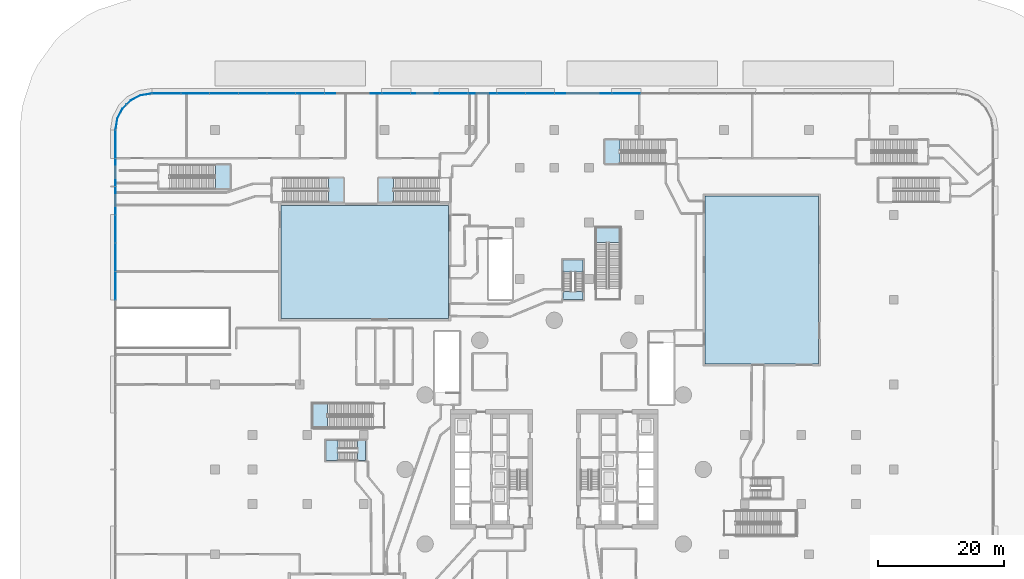
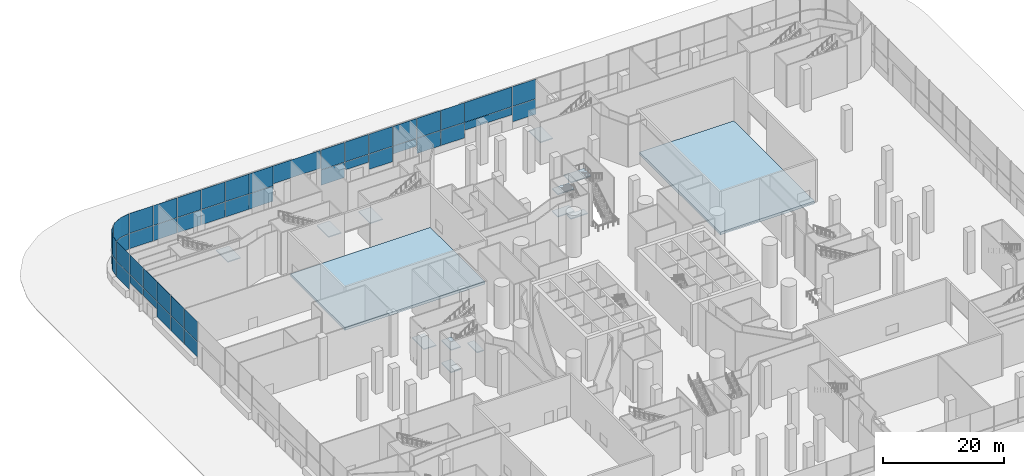
# One storey, part 18 of 54: 45 plates, 14 slabs, 11 elements without a shape of their own.
"""IFC4 building model written with IfcOpenShell, lengths in metres."""

from ifc_helpers import new_model, si_unit, direction, frame, origin, place, context, subcontext, project, spatial, polyline, outline, extrude, material, layer, layer_set, type_object, element, aggregate, save


model = new_model("IFC4")

# Units and contexts
model_context = context("Model", 3, precision=1e-05, world=origin(), true_north=direction((0.0, 1.0)))
body_context = subcontext(model_context, "Body", "Model", "MODEL_VIEW")
ifc_project = project(units=[si_unit("LENGTHUNIT", "METRE"), si_unit("AREAUNIT", "SQUARE_METRE"), si_unit("VOLUMEUNIT", "CUBIC_METRE"), si_unit("PLANEANGLEUNIT", "RADIAN"), si_unit("MASSUNIT", "GRAM", prefix="KILO")], contexts=[model_context])

# Site, building, storey
site_placement = place(None, origin())
site = spatial("IfcSite", under=ifc_project, at=site_placement, CompositionType="ELEMENT")
building_placement = place(site_placement, origin())
building = spatial("IfcBuilding", under=site, at=building_placement, Name="Tamarind Cross Interchange Tower", CompositionType="ELEMENT")
storey_placement = place(building_placement, origin())
storey = spatial("IfcBuildingStorey", under=building, at=storey_placement, Name="L00", CompositionType="ELEMENT", Elevation=0.0)

# Slabs
ifc_material_1 = material(Name="Concrete C40", Category="concrete")
ifc_layer_1 = layer(ifc_material_1, 0.550048828125)
ifc_layer_set_1 = layer_set([ifc_layer_1], Name="Concrete C40")
slab_type_1 = type_object("IfcSlabType", Name="Post-tensioned flat slab 550 Concrete C40", PredefinedType="FLOOR", material=ifc_layer_set_1)
slab_1_placement = place(storey_placement, frame((0.0, 0.0, -0.550048828125)))
element("IfcSlab", 1, at=slab_1_placement, inside=storey, type_object=slab_type_1, Name="Fire court NE floor slab", PredefinedType="FLOOR", context=body_context, shape_type="SweptSolid", body=[
    extrude(outline(polyline([(24.0, 16.800048828125), (42.0, 16.800048828125), (42.0, 43.5), (24.0, 43.5), (24.0, 16.800048828125)])), origin(), (0.0, 0.0, 1.0), 0.550048828125),
])
slab_2_placement = place(storey_placement, frame((0.0, 0.0, -0.550048828125)))
element("IfcSlab", 2, at=slab_2_placement, inside=storey, type_object=slab_type_1, Name="Fire court NW floor slab", PredefinedType="FLOOR", context=body_context, shape_type="SweptSolid", body=[
    extrude(outline(polyline([(-43.5, 24.0), (-16.800048828125, 24.0), (-16.800048828125, 42.0), (-43.5, 42.0), (-43.5, 24.0)])), origin(), (0.0, 0.0, 1.0), 0.550048828125),
])

# Stair, slab
ifc_material_2 = material(Name="Public stair")
stair_type_1 = type_object("IfcStairType", Name="Public stair", PredefinedType="HALF_TURN_STAIR", material=ifc_material_2)
stair_1_placement = place(storey_placement, origin())
stair_1 = element("IfcStair", 3, at=stair_1_placement, inside=storey, type_object=stair_type_1, Name="L00 public stair PS-W", PredefinedType="HALF_TURN_STAIR")
ifc_layer_2 = layer(ifc_material_1, 0.199951171875)
ifc_layer_set_2 = layer_set([ifc_layer_2], Name="Concrete C40")
slab_type_2 = type_object("IfcSlabType", Name="Public stair landing", PredefinedType="LANDING", material=ifc_layer_set_2)
slab_3_placement = place(storey_placement, frame((0.0, 0.0, 4.300048828125)))
slab_3 = element("IfcSlab", 4, at=slab_3_placement, type_object=slab_type_2, Name="PS-W landing 1", PredefinedType="LANDING", context=body_context, shape_type="SweptSolid", body=[
    extrude(outline(polyline([(-36.080078125, 10.5), (-38.5, 10.5), (-38.5, 6.60009765625), (-36.080078125, 6.60009765625), (-36.080078125, 10.5)])), origin(), (0.0, 0.0, 1.0), 0.199951171875),
])
aggregate(stair_1, [slab_3])

stair_2_placement = place(storey_placement, origin())
stair_2 = element("IfcStair", 5, at=stair_2_placement, inside=storey, type_object=stair_type_1, Name="L00 public stair PS-N", PredefinedType="HALF_TURN_STAIR")
slab_4_placement = place(storey_placement, frame((0.0, 0.0, 4.300048828125)))
slab_4 = element("IfcSlab", 6, at=slab_4_placement, type_object=slab_type_2, Name="PS-N landing 1", PredefinedType="LANDING", context=body_context, shape_type="SweptSolid", body=[
    extrude(outline(polyline([(10.5, 36.080078125), (10.5, 38.5), (6.60009765625, 38.5), (6.60009765625, 36.080078125), (10.5, 36.080078125)])), origin(), (0.0, 0.0, 1.0), 0.199951171875),
])
aggregate(stair_2, [slab_4])

stair_3_placement = place(storey_placement, origin())
stair_3 = element("IfcStair", 7, at=stair_3_placement, inside=storey, type_object=stair_type_1, Name="L00 exit stair XS-P03", PredefinedType="HALF_TURN_STAIR")
slab_5_placement = place(storey_placement, frame((0.0, 0.0, 4.300048828125)))
slab_5 = element("IfcSlab", 8, at=slab_5_placement, type_object=slab_type_2, Name="XS-P03 landing 1", PredefinedType="LANDING", context=body_context, shape_type="SweptSolid", body=[
    extrude(outline(polyline([(10.419921875, 52.5), (8.0, 52.5), (8.0, 48.60009765625), (10.419921875, 48.60009765625), (10.419921875, 52.5)])), origin(), (0.0, 0.0, 1.0), 0.199951171875),
])
aggregate(stair_3, [slab_5])

stair_4_placement = place(storey_placement, origin())
stair_4 = element("IfcStair", 9, at=stair_4_placement, inside=storey, type_object=stair_type_1, Name="L00 exit stair XS-P04", PredefinedType="HALF_TURN_STAIR")
slab_6_placement = place(storey_placement, frame((0.0, 0.0, 4.300048828125)))
slab_6 = element("IfcSlab", 10, at=slab_6_placement, type_object=slab_type_2, Name="XS-P04 landing 1", PredefinedType="LANDING", context=body_context, shape_type="SweptSolid", body=[
    extrude(outline(polyline([(-35.919921875, 42.5), (-33.5, 42.5), (-33.5, 46.39990234375), (-35.919921875, 46.39990234375), (-35.919921875, 42.5)])), origin(), (0.0, 0.0, 1.0), 0.199951171875),
])
aggregate(stair_4, [slab_6])

stair_5_placement = place(storey_placement, origin())
stair_5 = element("IfcStair", 11, at=stair_5_placement, inside=storey, type_object=stair_type_1, Name="L00 exit stair XS-P05", PredefinedType="HALF_TURN_STAIR")
slab_7_placement = place(storey_placement, frame((0.0, 0.0, 4.300048828125)))
slab_7 = element("IfcSlab", 12, at=slab_7_placement, type_object=slab_type_2, Name="XS-P05 landing 1", PredefinedType="LANDING", context=body_context, shape_type="SweptSolid", body=[
    extrude(outline(polyline([(-53.919921875, 44.60009765625), (-51.5, 44.60009765625), (-51.5, 48.5), (-53.919921875, 48.5), (-53.919921875, 44.60009765625)])), origin(), (0.0, 0.0, 1.0), 0.199951171875),
])
aggregate(stair_5, [slab_7])

stair_6_placement = place(storey_placement, origin())
stair_6 = element("IfcStair", 13, at=stair_6_placement, inside=storey, type_object=stair_type_1, Name="L00 exit stair XS-P06", PredefinedType="HALF_TURN_STAIR")
slab_8_placement = place(storey_placement, frame((0.0, 0.0, 4.300048828125)))
slab_8 = element("IfcSlab", 14, at=slab_8_placement, type_object=slab_type_2, Name="XS-P06 landing 1", PredefinedType="LANDING", context=body_context, shape_type="SweptSolid", body=[
    extrude(outline(polyline([(-25.580078125, 46.39990234375), (-28.0, 46.39990234375), (-28.0, 42.5), (-25.580078125, 42.5), (-25.580078125, 46.39990234375)])), origin(), (0.0, 0.0, 1.0), 0.199951171875),
])
aggregate(stair_6, [slab_8])

# Stair, slabs
ifc_material_3 = material(Name="Exit stair")
stair_type_2 = type_object("IfcStairType", Name="Exit stair", PredefinedType="HALF_TURN_STAIR", material=ifc_material_3)
stair_7_placement = place(storey_placement, origin())
stair_7 = element("IfcStair", 15, at=stair_7_placement, inside=storey, type_object=stair_type_2, Name="L00 exit stair ST4", PredefinedType="HALF_TURN_STAIR")
ifc_layer_3 = layer(ifc_material_1, 0.199951171875)
ifc_layer_set_3 = layer_set([ifc_layer_3], Name="Concrete C40")
slab_type_3 = type_object("IfcSlabType", Name="Stair landing", PredefinedType="LANDING", material=ifc_layer_set_3)
slab_9_placement = place(storey_placement, frame((0.0, 0.0, 2.050048828125)))
slab_9 = element("IfcSlab", 16, at=slab_9_placement, type_object=slab_type_3, Name="ST4 landing 1", PredefinedType="LANDING", context=body_context, shape_type="SweptSolid", body=[
    extrude(outline(polyline([(4.60009765625, 31.407958984375), (4.60009765625, 33.300048828125), (1.39990234375, 33.300048828125), (1.39990234375, 31.407958984375), (4.60009765625, 31.407958984375)])), origin(), (0.0, 0.0, 1.0), 0.199951171875),
])
slab_10_placement = place(storey_placement, frame((0.0, 0.0, 4.300048828125)))
slab_10 = element("IfcSlab", 17, at=slab_10_placement, type_object=slab_type_3, Name="ST4 landing 2", PredefinedType="LANDING", context=body_context, shape_type="SweptSolid", body=[
    extrude(outline(polyline([(4.60009765625, 27.0), (4.60009765625, 28.31201171875), (1.39990234375, 28.31201171875), (1.39990234375, 27.0), (4.60009765625, 27.0)])), origin(), (0.0, 0.0, 1.0), 0.199951171875),
])
slab_11_placement = place(storey_placement, frame((0.0, 0.0, 6.550048828125)))
slab_11 = element("IfcSlab", 18, at=slab_11_placement, type_object=slab_type_3, Name="ST4 landing 3", PredefinedType="LANDING", context=body_context, shape_type="SweptSolid", body=[
    extrude(outline(polyline([(4.60009765625, 31.407958984375), (4.60009765625, 33.300048828125), (1.39990234375, 33.300048828125), (1.39990234375, 31.407958984375), (4.60009765625, 31.407958984375)])), origin(), (0.0, 0.0, 1.0), 0.199951171875),
])
aggregate(stair_7, [slab_9, slab_10, slab_11])

stair_8_placement = place(storey_placement, origin())
stair_8 = element("IfcStair", 19, at=stair_8_placement, inside=storey, type_object=stair_type_2, Name="L00 exit stair ST5", PredefinedType="HALF_TURN_STAIR")
slab_12_placement = place(storey_placement, frame((0.0, 0.0, 2.050048828125)))
slab_12 = element("IfcSlab", 20, at=slab_12_placement, type_object=slab_type_3, Name="ST5 landing 1", PredefinedType="LANDING", context=body_context, shape_type="SweptSolid", body=[
    extrude(outline(polyline([(-34.407958984375, 4.60009765625), (-36.300048828125, 4.60009765625), (-36.300048828125, 1.39990234375), (-34.407958984375, 1.39990234375), (-34.407958984375, 4.60009765625)])), origin(), (0.0, 0.0, 1.0), 0.199951171875),
])
slab_13_placement = place(storey_placement, frame((0.0, 0.0, 4.300048828125)))
slab_13 = element("IfcSlab", 21, at=slab_13_placement, type_object=slab_type_3, Name="ST5 landing 2", PredefinedType="LANDING", context=body_context, shape_type="SweptSolid", body=[
    extrude(outline(polyline([(-30.0, 4.60009765625), (-31.31201171875, 4.60009765625), (-31.31201171875, 1.39990234375), (-30.0, 1.39990234375), (-30.0, 4.60009765625)])), origin(), (0.0, 0.0, 1.0), 0.199951171875),
])
slab_14_placement = place(storey_placement, frame((0.0, 0.0, 6.550048828125)))
slab_14 = element("IfcSlab", 22, at=slab_14_placement, type_object=slab_type_3, Name="ST5 landing 3", PredefinedType="LANDING", context=body_context, shape_type="SweptSolid", body=[
    extrude(outline(polyline([(-34.407958984375, 4.60009765625), (-36.300048828125, 4.60009765625), (-36.300048828125, 1.39990234375), (-34.407958984375, 1.39990234375), (-34.407958984375, 4.60009765625)])), origin(), (0.0, 0.0, 1.0), 0.199951171875),
])
aggregate(stair_8, [slab_12, slab_13, slab_14])

# Curtain wall, plates
ifc_material_4 = material(Name="Aluminium 6063-T6", Category="aluminium")
ifc_layer_4 = layer(ifc_material_4, 0.199951171875)
ifc_layer_set_4 = layer_set([ifc_layer_4], Name="Aluminium 6063-T6")
curtain_wall_type = type_object("IfcCurtainWallType", Name="Podium shopfront and station curtain wall", PredefinedType="NOTDEFINED", material=ifc_layer_set_4)
curtain_wall_1_placement = place(storey_placement, origin())
curtain_wall_1 = element("IfcCurtainWall", 23, at=curtain_wall_1_placement, inside=storey, type_object=curtain_wall_type, Name="CWS-L00-02", PredefinedType="NOTDEFINED")
ifc_material_5 = material(Name="Toughened low-e glass 10+12+10", Category="glass")
ifc_layer_5 = layer(ifc_material_5, 0.031982421875)
ifc_layer_set_5 = layer_set([ifc_layer_5], Name="Toughened low-e glass 10+12+10")
plate_type = type_object("IfcPlateType", Name="Vision panel CW3", PredefinedType="CURTAIN_PANEL", material=ifc_layer_set_5)
plate_1_placement = place(storey_placement, frame((0.0, 0.0, 1.39990234375)))
plate_1 = element("IfcPlate", 24, at=plate_1_placement, type_object=plate_type, Name="CWP-L00-02-11-0", PredefinedType="CURTAIN_PANEL", context=body_context, shape_type="SweptSolid", body=[
    extrude(outline(polyline([(13.6708984375, 59.783935546875), (9.1806640625, 59.783935546875), (9.1806640625, 59.81591796875), (13.6708984375, 59.81591796875), (13.6708984375, 59.783935546875)])), origin(), (0.0, 0.0, 1.0), 3.070068359375),
])
plate_2_placement = place(storey_placement, frame((0.0, 0.0, 4.530029296875)))
plate_2 = element("IfcPlate", 25, at=plate_2_placement, type_object=plate_type, Name="CWP-L00-02-11-1", PredefinedType="CURTAIN_PANEL", context=body_context, shape_type="SweptSolid", body=[
    extrude(outline(polyline([(13.6708984375, 59.783935546875), (9.1806640625, 59.783935546875), (9.1806640625, 59.81591796875), (13.6708984375, 59.81591796875), (13.6708984375, 59.783935546875)])), origin(), (0.0, 0.0, 1.0), 3.969970703125),
])
plate_3_placement = place(storey_placement, frame((0.0, 0.0, 2.89990234375)))
plate_3 = element("IfcPlate", 26, at=plate_3_placement, type_object=plate_type, Name="CWP-L00-02-12-0", PredefinedType="CURTAIN_PANEL", context=body_context, shape_type="SweptSolid", body=[
    extrude(outline(polyline([(9.1005859375, 59.783935546875), (0.0400390625, 59.783935546875), (0.0400390625, 59.81591796875), (9.1005859375, 59.81591796875), (9.1005859375, 59.783935546875)])), origin(), (0.0, 0.0, 1.0), 1.570068359375),
])
plate_4_placement = place(storey_placement, frame((0.0, 0.0, 4.530029296875)))
plate_4 = element("IfcPlate", 27, at=plate_4_placement, type_object=plate_type, Name="CWP-L00-02-12-1", PredefinedType="CURTAIN_PANEL", context=body_context, shape_type="SweptSolid", body=[
    extrude(outline(polyline([(9.1005859375, 59.783935546875), (0.0400390625, 59.783935546875), (0.0400390625, 59.81591796875), (9.1005859375, 59.81591796875), (9.1005859375, 59.783935546875)])), origin(), (0.0, 0.0, 1.0), 3.969970703125),
])
plate_5_placement = place(storey_placement, frame((0.0, 0.0, 1.39990234375)))
plate_5 = element("IfcPlate", 28, at=plate_5_placement, type_object=plate_type, Name="CWP-L00-02-14-0", PredefinedType="CURTAIN_PANEL", context=body_context, shape_type="SweptSolid", body=[
    extrude(outline(polyline([(-0.0400390625, 59.783935546875), (-4.5302734375, 59.783935546875), (-4.5302734375, 59.81591796875), (-0.0400390625, 59.81591796875), (-0.0400390625, 59.783935546875)])), origin(), (0.0, 0.0, 1.0), 3.070068359375),
])
plate_6_placement = place(storey_placement, frame((0.0, 0.0, 4.530029296875)))
plate_6 = element("IfcPlate", 29, at=plate_6_placement, type_object=plate_type, Name="CWP-L00-02-14-1", PredefinedType="CURTAIN_PANEL", context=body_context, shape_type="SweptSolid", body=[
    extrude(outline(polyline([(-0.0400390625, 59.783935546875), (-4.5302734375, 59.783935546875), (-4.5302734375, 59.81591796875), (-0.0400390625, 59.81591796875), (-0.0400390625, 59.783935546875)])), origin(), (0.0, 0.0, 1.0), 3.969970703125),
])
plate_7_placement = place(storey_placement, frame((0.0, 0.0, 1.39990234375)))
plate_7 = element("IfcPlate", 30, at=plate_7_placement, type_object=plate_type, Name="CWP-L00-02-15-0", PredefinedType="CURTAIN_PANEL", context=body_context, shape_type="SweptSolid", body=[
    extrude(outline(polyline([(-4.6103515625, 59.783935546875), (-9.1005859375, 59.783935546875), (-9.1005859375, 59.81591796875), (-4.6103515625, 59.81591796875), (-4.6103515625, 59.783935546875)])), origin(), (0.0, 0.0, 1.0), 3.070068359375),
])
plate_8_placement = place(storey_placement, frame((0.0, 0.0, 4.530029296875)))
plate_8 = element("IfcPlate", 31, at=plate_8_placement, type_object=plate_type, Name="CWP-L00-02-15-1", PredefinedType="CURTAIN_PANEL", context=body_context, shape_type="SweptSolid", body=[
    extrude(outline(polyline([(-4.6103515625, 59.783935546875), (-9.1005859375, 59.783935546875), (-9.1005859375, 59.81591796875), (-4.6103515625, 59.81591796875), (-4.6103515625, 59.783935546875)])), origin(), (0.0, 0.0, 1.0), 3.969970703125),
])
plate_9_placement = place(storey_placement, frame((0.0, 0.0, 2.89990234375)))
plate_9 = element("IfcPlate", 32, at=plate_9_placement, type_object=plate_type, Name="CWP-L00-02-16-0", PredefinedType="CURTAIN_PANEL", context=body_context, shape_type="SweptSolid", body=[
    extrude(outline(polyline([(-9.1806640625, 59.783935546875), (-13.6708984375, 59.783935546875), (-13.6708984375, 59.81591796875), (-9.1806640625, 59.81591796875), (-9.1806640625, 59.783935546875)])), origin(), (0.0, 0.0, 1.0), 1.570068359375),
])
plate_10_placement = place(storey_placement, frame((0.0, 0.0, 4.530029296875)))
plate_10 = element("IfcPlate", 33, at=plate_10_placement, type_object=plate_type, Name="CWP-L00-02-16-1", PredefinedType="CURTAIN_PANEL", context=body_context, shape_type="SweptSolid", body=[
    extrude(outline(polyline([(-9.1806640625, 59.783935546875), (-13.6708984375, 59.783935546875), (-13.6708984375, 59.81591796875), (-9.1806640625, 59.81591796875), (-9.1806640625, 59.783935546875)])), origin(), (0.0, 0.0, 1.0), 3.969970703125),
])
plate_11_placement = place(storey_placement, frame((0.0, 0.0, 1.39990234375)))
plate_11 = element("IfcPlate", 34, at=plate_11_placement, type_object=plate_type, Name="CWP-L00-02-17-0", PredefinedType="CURTAIN_PANEL", context=body_context, shape_type="SweptSolid", body=[
    extrude(outline(polyline([(-13.7509765625, 59.783935546875), (-18.2412109375, 59.783935546875), (-18.2412109375, 59.81591796875), (-13.7509765625, 59.81591796875), (-13.7509765625, 59.783935546875)])), origin(), (0.0, 0.0, 1.0), 3.070068359375),
])
plate_12_placement = place(storey_placement, frame((0.0, 0.0, 4.530029296875)))
plate_12 = element("IfcPlate", 35, at=plate_12_placement, type_object=plate_type, Name="CWP-L00-02-17-1", PredefinedType="CURTAIN_PANEL", context=body_context, shape_type="SweptSolid", body=[
    extrude(outline(polyline([(-13.7509765625, 59.783935546875), (-18.2412109375, 59.783935546875), (-18.2412109375, 59.81591796875), (-13.7509765625, 59.81591796875), (-13.7509765625, 59.783935546875)])), origin(), (0.0, 0.0, 1.0), 3.969970703125),
])
plate_13_placement = place(storey_placement, frame((0.0, 0.0, 2.89990234375)))
plate_13 = element("IfcPlate", 36, at=plate_13_placement, type_object=plate_type, Name="CWP-L00-02-18-0", PredefinedType="CURTAIN_PANEL", context=body_context, shape_type="SweptSolid", body=[
    extrude(outline(polyline([(-18.3212890625, 59.783935546875), (-22.8115234375, 59.783935546875), (-22.8115234375, 59.81591796875), (-18.3212890625, 59.81591796875), (-18.3212890625, 59.783935546875)])), origin(), (0.0, 0.0, 1.0), 1.570068359375),
])
plate_14_placement = place(storey_placement, frame((0.0, 0.0, 4.530029296875)))
plate_14 = element("IfcPlate", 37, at=plate_14_placement, type_object=plate_type, Name="CWP-L00-02-18-1", PredefinedType="CURTAIN_PANEL", context=body_context, shape_type="SweptSolid", body=[
    extrude(outline(polyline([(-18.3212890625, 59.783935546875), (-22.8115234375, 59.783935546875), (-22.8115234375, 59.81591796875), (-18.3212890625, 59.81591796875), (-18.3212890625, 59.783935546875)])), origin(), (0.0, 0.0, 1.0), 3.969970703125),
])
plate_15_placement = place(storey_placement, frame((0.0, 0.0, 1.39990234375)))
plate_15 = element("IfcPlate", 38, at=plate_15_placement, type_object=plate_type, Name="CWP-L00-02-19-0", PredefinedType="CURTAIN_PANEL", context=body_context, shape_type="SweptSolid", body=[
    extrude(outline(polyline([(-22.8916015625, 59.783935546875), (-27.3818359375, 59.783935546875), (-27.3818359375, 59.81591796875), (-22.8916015625, 59.81591796875), (-22.8916015625, 59.783935546875)])), origin(), (0.0, 0.0, 1.0), 3.070068359375),
])
plate_16_placement = place(storey_placement, frame((0.0, 0.0, 4.530029296875)))
plate_16 = element("IfcPlate", 39, at=plate_16_placement, type_object=plate_type, Name="CWP-L00-02-19-1", PredefinedType="CURTAIN_PANEL", context=body_context, shape_type="SweptSolid", body=[
    extrude(outline(polyline([(-22.8916015625, 59.783935546875), (-27.3818359375, 59.783935546875), (-27.3818359375, 59.81591796875), (-22.8916015625, 59.81591796875), (-22.8916015625, 59.783935546875)])), origin(), (0.0, 0.0, 1.0), 3.969970703125),
])
plate_17_placement = place(storey_placement, frame((0.0, 0.0, 4.89990234375)))
plate_17 = element("IfcPlate", 40, at=plate_17_placement, type_object=plate_type, Name="CWP-L00-02-20", PredefinedType="CURTAIN_PANEL", context=body_context, shape_type="SweptSolid", body=[
    extrude(outline(polyline([(-27.4619140625, 59.783935546875), (-36.5224609375, 59.783935546875), (-36.5224609375, 59.81591796875), (-27.4619140625, 59.81591796875), (-27.4619140625, 59.783935546875)])), origin(), (0.0, 0.0, 1.0), 3.60009765625),
])
plate_18_placement = place(storey_placement, frame((0.0, 0.0, 1.39990234375)))
plate_18 = element("IfcPlate", 41, at=plate_18_placement, type_object=plate_type, Name="CWP-L00-02-22-0", PredefinedType="CURTAIN_PANEL", context=body_context, shape_type="SweptSolid", body=[
    extrude(outline(polyline([(-36.6025390625, 59.783935546875), (-41.0927734375, 59.783935546875), (-41.0927734375, 59.81591796875), (-36.6025390625, 59.81591796875), (-36.6025390625, 59.783935546875)])), origin(), (0.0, 0.0, 1.0), 3.070068359375),
])
plate_19_placement = place(storey_placement, frame((0.0, 0.0, 4.530029296875)))
plate_19 = element("IfcPlate", 42, at=plate_19_placement, type_object=plate_type, Name="CWP-L00-02-22-1", PredefinedType="CURTAIN_PANEL", context=body_context, shape_type="SweptSolid", body=[
    extrude(outline(polyline([(-36.6025390625, 59.783935546875), (-41.0927734375, 59.783935546875), (-41.0927734375, 59.81591796875), (-36.6025390625, 59.81591796875), (-36.6025390625, 59.783935546875)])), origin(), (0.0, 0.0, 1.0), 3.969970703125),
])
plate_20_placement = place(storey_placement, frame((0.0, 0.0, 1.39990234375)))
plate_20 = element("IfcPlate", 43, at=plate_20_placement, type_object=plate_type, Name="CWP-L00-02-23-0", PredefinedType="CURTAIN_PANEL", context=body_context, shape_type="SweptSolid", body=[
    extrude(outline(polyline([(-41.1728515625, 59.783935546875), (-45.6630859375, 59.783935546875), (-45.6630859375, 59.81591796875), (-41.1728515625, 59.81591796875), (-41.1728515625, 59.783935546875)])), origin(), (0.0, 0.0, 1.0), 3.070068359375),
])
plate_21_placement = place(storey_placement, frame((0.0, 0.0, 4.530029296875)))
plate_21 = element("IfcPlate", 44, at=plate_21_placement, type_object=plate_type, Name="CWP-L00-02-23-1", PredefinedType="CURTAIN_PANEL", context=body_context, shape_type="SweptSolid", body=[
    extrude(outline(polyline([(-41.1728515625, 59.783935546875), (-45.6630859375, 59.783935546875), (-45.6630859375, 59.81591796875), (-41.1728515625, 59.81591796875), (-41.1728515625, 59.783935546875)])), origin(), (0.0, 0.0, 1.0), 3.969970703125),
])
plate_22_placement = place(storey_placement, frame((0.0, 0.0, 1.39990234375)))
plate_22 = element("IfcPlate", 45, at=plate_22_placement, type_object=plate_type, Name="CWP-L00-02-24-0", PredefinedType="CURTAIN_PANEL", context=body_context, shape_type="SweptSolid", body=[
    extrude(outline(polyline([(-45.7431640625, 59.783935546875), (-50.2333984375, 59.783935546875), (-50.2333984375, 59.81591796875), (-45.7431640625, 59.81591796875), (-45.7431640625, 59.783935546875)])), origin(), (0.0, 0.0, 1.0), 3.070068359375),
])
plate_23_placement = place(storey_placement, frame((0.0, 0.0, 4.530029296875)))
plate_23 = element("IfcPlate", 46, at=plate_23_placement, type_object=plate_type, Name="CWP-L00-02-24-1", PredefinedType="CURTAIN_PANEL", context=body_context, shape_type="SweptSolid", body=[
    extrude(outline(polyline([(-45.7431640625, 59.783935546875), (-50.2333984375, 59.783935546875), (-50.2333984375, 59.81591796875), (-45.7431640625, 59.81591796875), (-45.7431640625, 59.783935546875)])), origin(), (0.0, 0.0, 1.0), 3.969970703125),
])
plate_24_placement = place(storey_placement, frame((0.0, 0.0, 1.39990234375)))
plate_24 = element("IfcPlate", 47, at=plate_24_placement, type_object=plate_type, Name="CWP-L00-02-25-0", PredefinedType="CURTAIN_PANEL", context=body_context, shape_type="SweptSolid", body=[
    extrude(outline(polyline([(-50.313232421875, 59.783935546875), (-54.8037109375, 59.783935546875), (-54.8037109375, 59.81591796875), (-50.313232421875, 59.81591796875), (-50.313232421875, 59.783935546875)])), origin(), (0.0, 0.0, 1.0), 3.070068359375),
])
plate_25_placement = place(storey_placement, frame((0.0, 0.0, 4.530029296875)))
plate_25 = element("IfcPlate", 48, at=plate_25_placement, type_object=plate_type, Name="CWP-L00-02-25-1", PredefinedType="CURTAIN_PANEL", context=body_context, shape_type="SweptSolid", body=[
    extrude(outline(polyline([(-50.313232421875, 59.783935546875), (-54.8037109375, 59.783935546875), (-54.8037109375, 59.81591796875), (-50.313232421875, 59.81591796875), (-50.313232421875, 59.783935546875)])), origin(), (0.0, 0.0, 1.0), 3.969970703125),
])
plate_26_placement = place(storey_placement, frame((0.0, 0.0, 1.39990234375)))
plate_26 = element("IfcPlate", 49, at=plate_26_placement, type_object=plate_type, Name="CWP-L00-02-26-0", PredefinedType="CURTAIN_PANEL", context=body_context, shape_type="SweptSolid", body=[
    extrude(outline(polyline([(-54.883544921875, 59.783935546875), (-59.3740234375, 59.783935546875), (-59.3740234375, 59.81591796875), (-54.883544921875, 59.81591796875), (-54.883544921875, 59.783935546875)])), origin(), (0.0, 0.0, 1.0), 3.070068359375),
])
plate_27_placement = place(storey_placement, frame((0.0, 0.0, 4.530029296875)))
plate_27 = element("IfcPlate", 50, at=plate_27_placement, type_object=plate_type, Name="CWP-L00-02-26-1", PredefinedType="CURTAIN_PANEL", context=body_context, shape_type="SweptSolid", body=[
    extrude(outline(polyline([(-54.883544921875, 59.783935546875), (-59.3740234375, 59.783935546875), (-59.3740234375, 59.81591796875), (-54.883544921875, 59.81591796875), (-54.883544921875, 59.783935546875)])), origin(), (0.0, 0.0, 1.0), 3.969970703125),
])
plate_28_placement = place(storey_placement, frame((0.0, 0.0, 1.39990234375)))
plate_28 = element("IfcPlate", 51, at=plate_28_placement, type_object=plate_type, Name="CWP-L00-02-27-0", PredefinedType="CURTAIN_PANEL", context=body_context, shape_type="SweptSolid", body=[
    extrude(outline(polyline([(-59.453857421875, 59.783935546875), (-63.9443359375, 59.783935546875), (-63.9443359375, 59.81591796875), (-59.453857421875, 59.81591796875), (-59.453857421875, 59.783935546875)])), origin(), (0.0, 0.0, 1.0), 3.070068359375),
])
plate_29_placement = place(storey_placement, frame((0.0, 0.0, 4.530029296875)))
plate_29 = element("IfcPlate", 52, at=plate_29_placement, type_object=plate_type, Name="CWP-L00-02-27-1", PredefinedType="CURTAIN_PANEL", context=body_context, shape_type="SweptSolid", body=[
    extrude(outline(polyline([(-59.453857421875, 59.783935546875), (-63.9443359375, 59.783935546875), (-63.9443359375, 59.81591796875), (-59.453857421875, 59.81591796875), (-59.453857421875, 59.783935546875)])), origin(), (0.0, 0.0, 1.0), 3.969970703125),
])
aggregate(curtain_wall_1, [plate_1, plate_2, plate_3, plate_4, plate_5, plate_6, plate_7, plate_8, plate_9, plate_10, plate_11, plate_12, plate_13, plate_14, plate_15, plate_16, plate_17, plate_18, plate_19, plate_20, plate_21, plate_22, plate_23, plate_24, plate_25, plate_26, plate_27, plate_28, plate_29])

curtain_wall_2_placement = place(storey_placement, origin())
curtain_wall_2 = element("IfcCurtainWall", 53, at=curtain_wall_2_placement, inside=storey, type_object=curtain_wall_type, Name="CWS-L00-03", PredefinedType="NOTDEFINED")
plate_30_placement = place(storey_placement, frame((0.0, 0.0, 1.39990234375)))
plate_30 = element("IfcPlate", 54, at=plate_30_placement, type_object=plate_type, Name="CWP-L00-03-00-0", PredefinedType="CURTAIN_PANEL", context=body_context, shape_type="SweptSolid", body=[
    extrude(outline(polyline([(-64.021240234375, 59.77783203125), (-65.78662109375, 59.498291015625), (-67.398193359375, 58.67724609375), (-68.00927734375, 58.06591796875), (-68.031982421875, 58.088623046875), (-67.417236328125, 58.703369140625), (-65.796630859375, 59.529052734375), (-64.0263671875, 59.8095703125), (-64.021240234375, 59.77783203125)])), origin(), (0.0, 0.0, 1.0), 3.070068359375),
])
plate_31_placement = place(storey_placement, frame((0.0, 0.0, 4.530029296875)))
plate_31 = element("IfcPlate", 55, at=plate_31_placement, type_object=plate_type, Name="CWP-L00-03-00-1", PredefinedType="CURTAIN_PANEL", context=body_context, shape_type="SweptSolid", body=[
    extrude(outline(polyline([(-64.021240234375, 59.77783203125), (-65.78662109375, 59.498291015625), (-67.398193359375, 58.67724609375), (-68.00927734375, 58.06591796875), (-68.031982421875, 58.088623046875), (-67.417236328125, 58.703369140625), (-65.796630859375, 59.529052734375), (-64.0263671875, 59.8095703125), (-64.021240234375, 59.77783203125)])), origin(), (0.0, 0.0, 1.0), 3.969970703125),
])
plate_32_placement = place(storey_placement, frame((0.0, 0.0, 1.39990234375)))
plate_32 = element("IfcPlate", 56, at=plate_32_placement, type_object=plate_type, Name="CWP-L00-03-01-0", PredefinedType="CURTAIN_PANEL", context=body_context, shape_type="SweptSolid", body=[
    extrude(outline(polyline([(-68.06591796875, 58.00927734375), (-68.67724609375, 57.398193359375), (-69.498291015625, 55.78662109375), (-69.77783203125, 54.021240234375), (-69.8095703125, 54.0263671875), (-69.529052734375, 55.796630859375), (-68.703369140625, 57.417236328125), (-68.088623046875, 58.031982421875), (-68.06591796875, 58.00927734375)])), origin(), (0.0, 0.0, 1.0), 3.070068359375),
])
plate_33_placement = place(storey_placement, frame((0.0, 0.0, 4.530029296875)))
plate_33 = element("IfcPlate", 57, at=plate_33_placement, type_object=plate_type, Name="CWP-L00-03-01-1", PredefinedType="CURTAIN_PANEL", context=body_context, shape_type="SweptSolid", body=[
    extrude(outline(polyline([(-68.06591796875, 58.00927734375), (-68.67724609375, 57.398193359375), (-69.498291015625, 55.78662109375), (-69.77783203125, 54.021240234375), (-69.8095703125, 54.0263671875), (-69.529052734375, 55.796630859375), (-68.703369140625, 57.417236328125), (-68.088623046875, 58.031982421875), (-68.06591796875, 58.00927734375)])), origin(), (0.0, 0.0, 1.0), 3.969970703125),
])
aggregate(curtain_wall_2, [plate_30, plate_31, plate_32, plate_33])

curtain_wall_3_placement = place(storey_placement, origin())
curtain_wall_3 = element("IfcCurtainWall", 58, at=curtain_wall_3_placement, inside=storey, type_object=curtain_wall_type, Name="CWS-L00-04", PredefinedType="NOTDEFINED")
plate_34_placement = place(storey_placement, frame((0.0, 0.0, 1.39990234375)))
plate_34 = element("IfcPlate", 59, at=plate_34_placement, type_object=plate_type, Name="CWP-L00-04-00-0", PredefinedType="CURTAIN_PANEL", context=body_context, shape_type="SweptSolid", body=[
    extrude(outline(polyline([(-69.783935546875, 53.9443359375), (-69.783935546875, 49.525634765625), (-69.81591796875, 49.525634765625), (-69.81591796875, 53.9443359375), (-69.783935546875, 53.9443359375)])), origin(), (0.0, 0.0, 1.0), 3.070068359375),
])
plate_35_placement = place(storey_placement, frame((0.0, 0.0, 4.530029296875)))
plate_35 = element("IfcPlate", 60, at=plate_35_placement, type_object=plate_type, Name="CWP-L00-04-00-1", PredefinedType="CURTAIN_PANEL", context=body_context, shape_type="SweptSolid", body=[
    extrude(outline(polyline([(-69.783935546875, 53.9443359375), (-69.783935546875, 49.525634765625), (-69.81591796875, 49.525634765625), (-69.81591796875, 53.9443359375), (-69.783935546875, 53.9443359375)])), origin(), (0.0, 0.0, 1.0), 3.969970703125),
])
plate_36_placement = place(storey_placement, frame((0.0, 0.0, 2.89990234375)))
plate_36 = element("IfcPlate", 61, at=plate_36_placement, type_object=plate_type, Name="CWP-L00-04-01-0", PredefinedType="CURTAIN_PANEL", context=body_context, shape_type="SweptSolid", body=[
    extrude(outline(polyline([(-69.783935546875, 49.445556640625), (-69.783935546875, 45.02685546875), (-69.81591796875, 45.02685546875), (-69.81591796875, 49.445556640625), (-69.783935546875, 49.445556640625)])), origin(), (0.0, 0.0, 1.0), 1.570068359375),
])
plate_37_placement = place(storey_placement, frame((0.0, 0.0, 4.530029296875)))
plate_37 = element("IfcPlate", 62, at=plate_37_placement, type_object=plate_type, Name="CWP-L00-04-01-1", PredefinedType="CURTAIN_PANEL", context=body_context, shape_type="SweptSolid", body=[
    extrude(outline(polyline([(-69.783935546875, 49.445556640625), (-69.783935546875, 45.02685546875), (-69.81591796875, 45.02685546875), (-69.81591796875, 49.445556640625), (-69.783935546875, 49.445556640625)])), origin(), (0.0, 0.0, 1.0), 3.969970703125),
])
plate_38_placement = place(storey_placement, frame((0.0, 0.0, 2.89990234375)))
plate_38 = element("IfcPlate", 63, at=plate_38_placement, type_object=plate_type, Name="CWP-L00-04-02-0", PredefinedType="CURTAIN_PANEL", context=body_context, shape_type="SweptSolid", body=[
    extrude(outline(polyline([(-69.783935546875, 44.94677734375), (-69.783935546875, 40.528076171875), (-69.81591796875, 40.528076171875), (-69.81591796875, 44.94677734375), (-69.783935546875, 44.94677734375)])), origin(), (0.0, 0.0, 1.0), 1.570068359375),
])
plate_39_placement = place(storey_placement, frame((0.0, 0.0, 4.530029296875)))
plate_39 = element("IfcPlate", 64, at=plate_39_placement, type_object=plate_type, Name="CWP-L00-04-02-1", PredefinedType="CURTAIN_PANEL", context=body_context, shape_type="SweptSolid", body=[
    extrude(outline(polyline([(-69.783935546875, 44.94677734375), (-69.783935546875, 40.528076171875), (-69.81591796875, 40.528076171875), (-69.81591796875, 44.94677734375), (-69.783935546875, 44.94677734375)])), origin(), (0.0, 0.0, 1.0), 3.969970703125),
])
plate_40_placement = place(storey_placement, frame((0.0, 0.0, 1.39990234375)))
plate_40 = element("IfcPlate", 65, at=plate_40_placement, type_object=plate_type, Name="CWP-L00-04-03-0", PredefinedType="CURTAIN_PANEL", context=body_context, shape_type="SweptSolid", body=[
    extrude(outline(polyline([(-69.783935546875, 40.4482421875), (-69.783935546875, 36.029541015625), (-69.81591796875, 36.029541015625), (-69.81591796875, 40.4482421875), (-69.783935546875, 40.4482421875)])), origin(), (0.0, 0.0, 1.0), 3.070068359375),
])
plate_41_placement = place(storey_placement, frame((0.0, 0.0, 4.530029296875)))
plate_41 = element("IfcPlate", 66, at=plate_41_placement, type_object=plate_type, Name="CWP-L00-04-03-1", PredefinedType="CURTAIN_PANEL", context=body_context, shape_type="SweptSolid", body=[
    extrude(outline(polyline([(-69.783935546875, 40.4482421875), (-69.783935546875, 36.029541015625), (-69.81591796875, 36.029541015625), (-69.81591796875, 40.4482421875), (-69.783935546875, 40.4482421875)])), origin(), (0.0, 0.0, 1.0), 3.969970703125),
])
plate_42_placement = place(storey_placement, frame((0.0, 0.0, 1.39990234375)))
plate_42 = element("IfcPlate", 67, at=plate_42_placement, type_object=plate_type, Name="CWP-L00-04-04-0", PredefinedType="CURTAIN_PANEL", context=body_context, shape_type="SweptSolid", body=[
    extrude(outline(polyline([(-69.783935546875, 35.949462890625), (-69.783935546875, 31.53076171875), (-69.81591796875, 31.53076171875), (-69.81591796875, 35.949462890625), (-69.783935546875, 35.949462890625)])), origin(), (0.0, 0.0, 1.0), 3.070068359375),
])
plate_43_placement = place(storey_placement, frame((0.0, 0.0, 4.530029296875)))
plate_43 = element("IfcPlate", 68, at=plate_43_placement, type_object=plate_type, Name="CWP-L00-04-04-1", PredefinedType="CURTAIN_PANEL", context=body_context, shape_type="SweptSolid", body=[
    extrude(outline(polyline([(-69.783935546875, 35.949462890625), (-69.783935546875, 31.53076171875), (-69.81591796875, 31.53076171875), (-69.81591796875, 35.949462890625), (-69.783935546875, 35.949462890625)])), origin(), (0.0, 0.0, 1.0), 3.969970703125),
])
plate_44_placement = place(storey_placement, frame((0.0, 0.0, 1.39990234375)))
plate_44 = element("IfcPlate", 69, at=plate_44_placement, type_object=plate_type, Name="CWP-L00-04-05-0", PredefinedType="CURTAIN_PANEL", context=body_context, shape_type="SweptSolid", body=[
    extrude(outline(polyline([(-69.783935546875, 31.450927734375), (-69.783935546875, 27.0322265625), (-69.81591796875, 27.0322265625), (-69.81591796875, 31.450927734375), (-69.783935546875, 31.450927734375)])), origin(), (0.0, 0.0, 1.0), 3.070068359375),
])
plate_45_placement = place(storey_placement, frame((0.0, 0.0, 4.530029296875)))
plate_45 = element("IfcPlate", 70, at=plate_45_placement, type_object=plate_type, Name="CWP-L00-04-05-1", PredefinedType="CURTAIN_PANEL", context=body_context, shape_type="SweptSolid", body=[
    extrude(outline(polyline([(-69.783935546875, 31.450927734375), (-69.783935546875, 27.0322265625), (-69.81591796875, 27.0322265625), (-69.81591796875, 31.450927734375), (-69.783935546875, 31.450927734375)])), origin(), (0.0, 0.0, 1.0), 3.969970703125),
])
aggregate(curtain_wall_3, [plate_34, plate_35, plate_36, plate_37, plate_38, plate_39, plate_40, plate_41, plate_42, plate_43, plate_44, plate_45])

save(model, "model.ifc")
